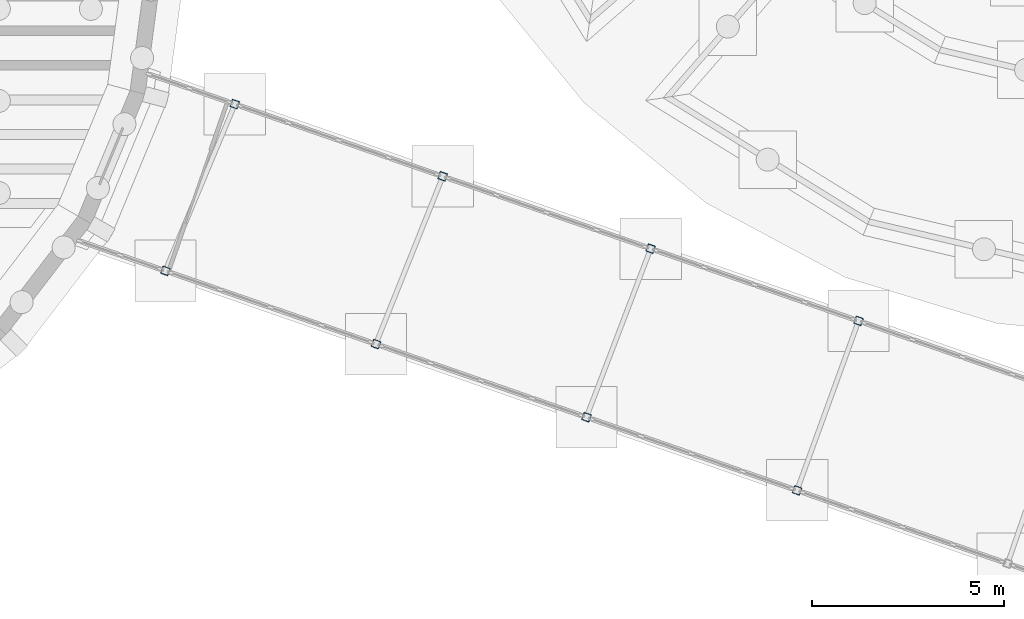
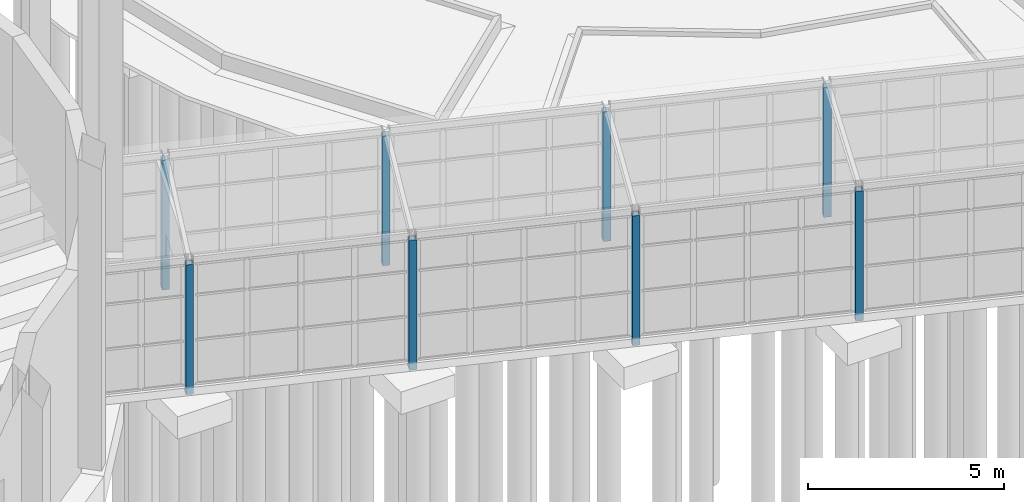
# One storey, part 13 of 226: 8 columns.
"""IFC4 building model written with IfcOpenShell, lengths in metres."""

from ifc_helpers import new_model, si_unit, direction, frame, origin, origin_2d, place, context, subcontext, project, spatial, hollow_rectangle, extrude, material, material_profile, profile_set, type_object, element, save


model = new_model("IFC4")

# Units and contexts
model_context = context("Model", 3, precision=1e-05, world=origin(), true_north=direction((0.0, 1.0)))
body_context = subcontext(model_context, "Body", "Model", "MODEL_VIEW")
ifc_project = project(units=[si_unit("LENGTHUNIT", "METRE"), si_unit("AREAUNIT", "SQUARE_METRE"), si_unit("VOLUMEUNIT", "CUBIC_METRE"), si_unit("PLANEANGLEUNIT", "RADIAN"), si_unit("MASSUNIT", "GRAM", prefix="KILO")], contexts=[model_context])

# Site, building, storey
site_placement = place(None, origin())
site = spatial("IfcSite", under=ifc_project, at=site_placement, CompositionType="ELEMENT")
building_placement = place(site_placement, origin())
building = spatial("IfcBuilding", under=site, at=building_placement, Name="Ceibo Conservatory and Research Tower", CompositionType="ELEMENT")
storey_placement = place(building_placement, origin())
storey = spatial("IfcBuildingStorey", under=building, at=storey_placement, Name="L00", CompositionType="ELEMENT", Elevation=0.0)

# Columns
ifc_material = material(Name="Steel S355J2H", Category="steel")
ifc_material_profile = material_profile(ifc_material, hollow_rectangle(XDim=0.199951171875, YDim=0.199951171875, WallThickness=0.010009765625, at=origin_2d()), Name="RHS column 200x200x10")
ifc_profile_set = profile_set([ifc_material_profile], Name="Steel S355J2H")
column_type = type_object("IfcColumnType", Name="RHS column 200x200x10", PredefinedType="COLUMN", material=ifc_profile_set)
for number, where, z_axis, x_axis, name in (
    (1, (72.0400390625, 68.120849609375, -0.25), (0.0, 0.0, 1.0), (0.944579236191, -0.328283515513, 0.0), "Gallery column AUD-VC-CN01"),
    (2, (70.234375, 63.772705078125, -0.25), (0.0, 0.0, 1.0), (0.944579236191, -0.328283515513, 0.0), "Gallery column AUD-VC-CS01"),
    (3, (77.460693359375, 66.237060546875, -0.25), (0.0, 0.0, 1.0), (0.944579236191, -0.328283515513, 0.0), "Gallery column AUD-VC-CN02"),
    (4, (75.72265625, 61.865234375, -0.25), (0.0, 0.0, 1.0), (0.944579236191, -0.328283515513, 0.0), "Gallery column AUD-VC-CS02"),
    (5, (82.88134765625, 64.35302734375, -0.25), (0.0, 0.0, 1.0), (0.944579236191, -0.328283515513, 0.0), "Gallery column AUD-VC-CN03"),
    (6, (81.2109375, 59.957763671875, -0.25), (0.0, 0.0, 1.0), (0.944579236191, -0.328283515513, 0.0), "Gallery column AUD-VC-CS03"),
    (7, (88.302001953125, 62.46923828125, -0.25), (0.0, 0.0, 1.0), (0.944579236191, -0.328283515513, 0.0), "Gallery column AUD-VC-CN04"),
    (8, (86.69921875, 58.050537109375, -0.25), (0.0, 0.0, 1.0), (0.944579236191, -0.328283515513, 0.0), "Gallery column AUD-VC-CS04"),
):
    element("IfcColumn", number, at=place(storey_placement, frame(where, z_axis=z_axis, x_axis=x_axis)), inside=storey, type_object=column_type, Name=name, PredefinedType="COLUMN", context=body_context, shape_type="SweptSolid", body=[
        extrude(hollow_rectangle(XDim=0.199951171875, YDim=0.199951171875, WallThickness=0.010009765625, at=origin_2d()), origin(), (0.0, 0.0, 1.0), 4.050048828125),
    ])

save(model, "model.ifc")
